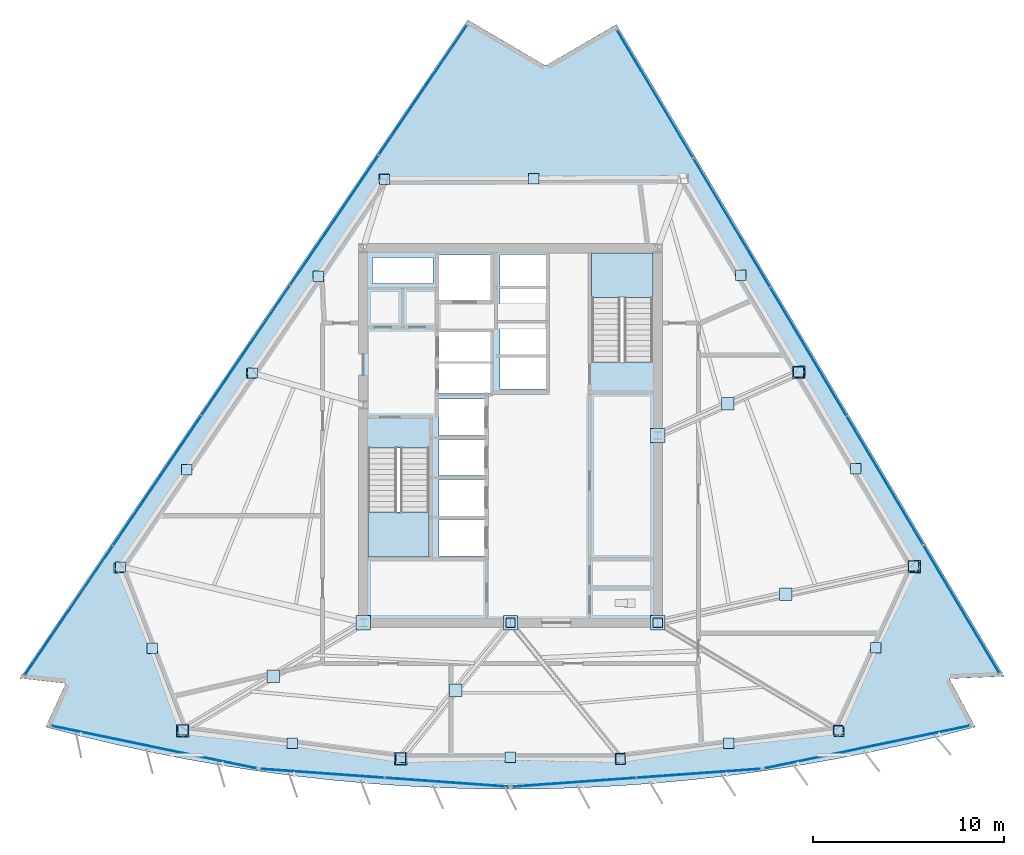
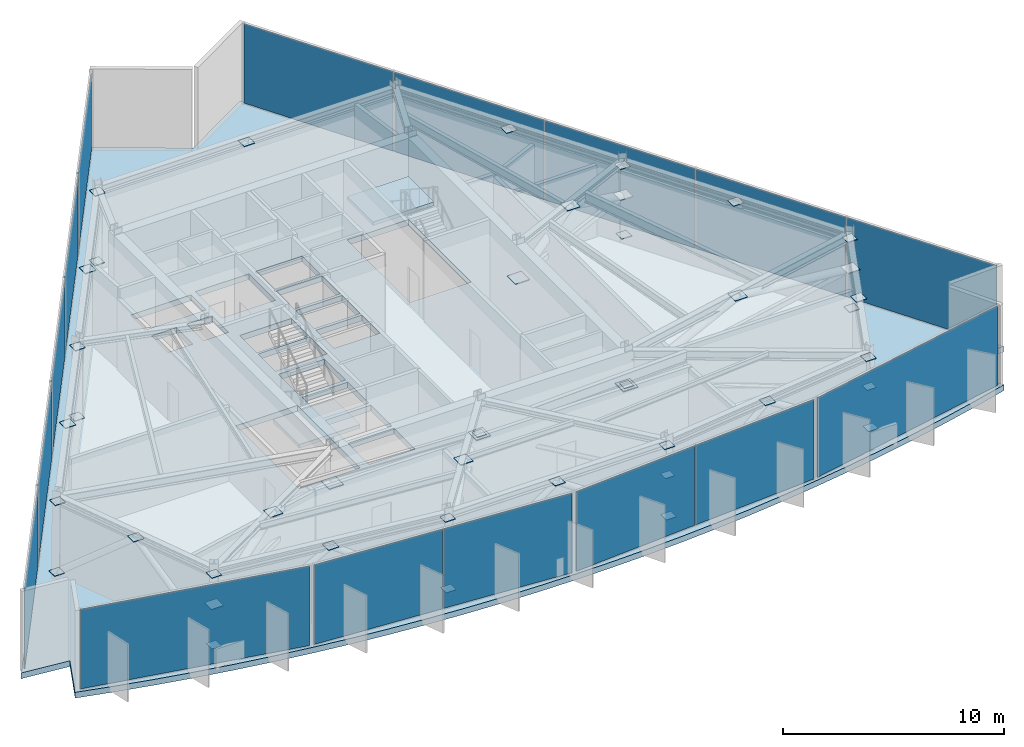
# One storey, part 7 of 14: 60 plates, 3 slabs, 8 elements without a shape of their own.
"""IFC4 building model written with IfcOpenShell, lengths in metres."""

from ifc_helpers import new_model, si_unit, direction, frame, origin, origin_2d, place, context, subcontext, project, spatial, polyline, rectangle, outline, extrude, material, layer, layer_set, type_object, element, aggregate, save


model = new_model("IFC4")

# Units and contexts
model_context = context("Model", 3, precision=1e-05, world=origin(), true_north=direction((0.0, 1.0)))
body_context = subcontext(model_context, "Body", "Model", "MODEL_VIEW")
ifc_project = project(units=[si_unit("LENGTHUNIT", "METRE"), si_unit("AREAUNIT", "SQUARE_METRE"), si_unit("VOLUMEUNIT", "CUBIC_METRE"), si_unit("PLANEANGLEUNIT", "RADIAN"), si_unit("MASSUNIT", "GRAM", prefix="KILO")], contexts=[model_context])

# Site, building, storey
site_placement = place(None, origin())
site = spatial("IfcSite", under=ifc_project, at=site_placement, CompositionType="ELEMENT")
building_placement = place(site_placement, origin())
building = spatial("IfcBuilding", under=site, at=building_placement, Name="Savorim Split Tower", CompositionType="ELEMENT")
storey_placement = place(building_placement, frame((0.0, 0.0, 185.39990234375)))
storey = spatial("IfcBuildingStorey", under=building, at=storey_placement, Name="L49", CompositionType="ELEMENT", Elevation=185.39990234375)

# Curtain wall, plate
ifc_material_1 = material(Name="Dark Ceramic-Fritted Insulated Glass", Category="glass")
curtain_wall_type = type_object("IfcCurtainWallType", Name="CW-REFUGE-LVR", PredefinedType="NOTDEFINED", material=ifc_material_1)
curtain_wall_1_placement = place(storey_placement, origin())
curtain_wall_1 = element("IfcCurtainWall", 1, at=curtain_wall_1_placement, inside=storey, type_object=curtain_wall_type, Name="L49 Curtain Wall CW-L49-SF1", PredefinedType="NOTDEFINED")
ifc_material_2 = material(Name="Charcoal Anodised Aluminium", Category="aluminium")
ifc_layer_1 = layer(ifc_material_2, 0.035888671875)
ifc_layer_set_1 = layer_set([ifc_layer_1], Name="CWP-LVR-36")
plate_type_1 = type_object("IfcPlateType", Name="CWP-LVR-36", PredefinedType="CURTAIN_PANEL", material=ifc_layer_set_1)
plate_1_placement = place(storey_placement, frame((-18.65283203125, -15.901123046875, 0.05517578125), z_axis=(0.0, 0.0, 1.0), x_axis=(0.979135601511, -0.203207957161, 0.0)))
plate_1 = element("IfcPlate", 2, at=plate_1_placement, type_object=plate_type_1, Name="CW-06 panel 1.1", PredefinedType="CURTAIN_PANEL", context=body_context, shape_type="SweptSolid", body=[
    extrude(rectangle(XDim=10.9365234375, YDim=0.035888671875, at=origin_2d()), origin(), (0.0, 0.0, 1.0), 4.389892578125),
])
aggregate(curtain_wall_1, [plate_1])

# Curtain wall, plates
curtain_wall_2_placement = place(storey_placement, origin())
curtain_wall_2 = element("IfcCurtainWall", 3, at=curtain_wall_2_placement, inside=storey, type_object=curtain_wall_type, Name="L49 Curtain Wall CW-L49-SF2", PredefinedType="NOTDEFINED")
plate_2_placement = place(storey_placement, frame((-9.845703125, -17.275634765625, 0.05517578125), z_axis=(0.0, 0.0, 1.0), x_axis=(0.997436161804, -0.071561883187, 0.0)))
plate_2 = element("IfcPlate", 4, at=plate_2_placement, type_object=plate_type_1, Name="CW-06 panel 1.1", PredefinedType="CURTAIN_PANEL", context=body_context, shape_type="SweptSolid", body=[
    extrude(rectangle(XDim=6.459716796875, YDim=0.035888671875, at=origin_2d()), origin(), (0.0, 0.0, 1.0), 4.389892578125),
])
plate_3_placement = place(storey_placement, frame((-3.337646484375, -17.74267578125, 0.05517578125), z_axis=(0.0, 0.0, 1.0), x_axis=(0.997436161804, -0.071561883187, 0.0)))
plate_3 = element("IfcPlate", 5, at=plate_3_placement, type_object=plate_type_1, Name="CW-06 panel 2.1", PredefinedType="CURTAIN_PANEL", context=body_context, shape_type="SweptSolid", body=[
    extrude(rectangle(XDim=6.459716796875, YDim=0.035888671875, at=origin_2d()), origin(), (0.0, 0.0, 1.0), 4.389892578125),
])
aggregate(curtain_wall_2, [plate_2, plate_3])

curtain_wall_3_placement = place(storey_placement, origin())
curtain_wall_3 = element("IfcCurtainWall", 6, at=curtain_wall_3_placement, inside=storey, type_object=curtain_wall_type, Name="L49 Curtain Wall CW-L49-SF3", PredefinedType="NOTDEFINED")
plate_4_placement = place(storey_placement, frame((3.337646484375, -17.74267578125, 0.05517578125), z_axis=(0.0, 0.0, 1.0), x_axis=(0.997436161804, 0.071561883187, 0.0)))
plate_4 = element("IfcPlate", 7, at=plate_4_placement, type_object=plate_type_1, Name="CW-06 panel 1.1", PredefinedType="CURTAIN_PANEL", context=body_context, shape_type="SweptSolid", body=[
    extrude(rectangle(XDim=6.459716796875, YDim=0.035888671875, at=origin_2d()), origin(), (0.0, 0.0, 1.0), 4.389892578125),
])
plate_5_placement = place(storey_placement, frame((9.845703125, -17.275634765625, 0.05517578125), z_axis=(0.0, 0.0, 1.0), x_axis=(0.997436161804, 0.071561883187, 0.0)))
plate_5 = element("IfcPlate", 8, at=plate_5_placement, type_object=plate_type_1, Name="CW-06 panel 2.1", PredefinedType="CURTAIN_PANEL", context=body_context, shape_type="SweptSolid", body=[
    extrude(rectangle(XDim=6.459716796875, YDim=0.035888671875, at=origin_2d()), origin(), (0.0, 0.0, 1.0), 4.389892578125),
])
aggregate(curtain_wall_3, [plate_4, plate_5])

# Curtain wall, plate
curtain_wall_4_placement = place(storey_placement, origin())
curtain_wall_4 = element("IfcCurtainWall", 9, at=curtain_wall_4_placement, inside=storey, type_object=curtain_wall_type, Name="L49 Curtain Wall CW-L49-SF4", PredefinedType="NOTDEFINED")
plate_6_placement = place(storey_placement, frame((18.65283203125, -15.901123046875, 0.05517578125), z_axis=(0.0, 0.0, 1.0), x_axis=(0.979135601511, 0.203207957161, 0.0)))
plate_6 = element("IfcPlate", 10, at=plate_6_placement, type_object=plate_type_1, Name="CW-06 panel 1.1", PredefinedType="CURTAIN_PANEL", context=body_context, shape_type="SweptSolid", body=[
    extrude(rectangle(XDim=10.9365234375, YDim=0.035888671875, at=origin_2d()), origin(), (0.0, 0.0, 1.0), 4.389892578125),
])
aggregate(curtain_wall_4, [plate_6])

# Curtain wall, plates
curtain_wall_5_placement = place(storey_placement, origin())
curtain_wall_5 = element("IfcCurtainWall", 11, at=curtain_wall_5_placement, inside=storey, type_object=curtain_wall_type, Name="L49 Curtain Wall CW-L49-EAST", PredefinedType="NOTDEFINED")
plate_7_placement = place(storey_placement, frame((23.588134765625, -8.687255859375, 0.05517578125), z_axis=(0.0, 0.0, 1.0), x_axis=(-0.511092138209, 0.859525931116, 0.0)))
plate_7 = element("IfcPlate", 12, at=plate_7_placement, type_object=plate_type_1, Name="CW-06 panel 1.1", PredefinedType="CURTAIN_PANEL", context=body_context, shape_type="SweptSolid", body=[
    extrude(rectangle(XDim=7.74853515625, YDim=0.035888671875, at=origin_2d()), origin(), (0.0, 0.0, 1.0), 4.389892578125),
])
plate_8_placement = place(storey_placement, frame((19.586181640625, -1.957275390625, 0.05517578125), z_axis=(0.0, 0.0, 1.0), x_axis=(-0.511092138209, 0.859525931116, 0.0)))
plate_8 = element("IfcPlate", 13, at=plate_8_placement, type_object=plate_type_1, Name="CW-06 panel 2.1", PredefinedType="CURTAIN_PANEL", context=body_context, shape_type="SweptSolid", body=[
    extrude(rectangle(XDim=7.78125, YDim=0.035888671875, at=origin_2d()), origin(), (0.0, 0.0, 1.0), 4.389892578125),
])
plate_9_placement = place(storey_placement, frame((15.576171875, 4.786865234375, 0.05517578125), z_axis=(0.0, 0.0, 1.0), x_axis=(-0.511092138209, 0.859525931116, 0.0)))
plate_9 = element("IfcPlate", 14, at=plate_9_placement, type_object=plate_type_1, Name="CW-06 panel 3.1", PredefinedType="CURTAIN_PANEL", context=body_context, shape_type="SweptSolid", body=[
    extrude(rectangle(XDim=7.78125, YDim=0.035888671875, at=origin_2d()), origin(), (0.0, 0.0, 1.0), 4.389892578125),
])
plate_10_placement = place(storey_placement, frame((11.566162109375, 11.53076171875, 0.05517578125), z_axis=(0.0, 0.0, 1.0), x_axis=(-0.511092138209, 0.859525931116, 0.0)))
plate_10 = element("IfcPlate", 15, at=plate_10_placement, type_object=plate_type_1, Name="CW-06 panel 4.1", PredefinedType="CURTAIN_PANEL", context=body_context, shape_type="SweptSolid", body=[
    extrude(rectangle(XDim=7.78125, YDim=0.035888671875, at=origin_2d()), origin(), (0.0, 0.0, 1.0), 4.389892578125),
])
plate_11_placement = place(storey_placement, frame((7.564208984375, 18.2607421875, 0.05517578125), z_axis=(0.0, 0.0, 1.0), x_axis=(-0.511092138209, 0.859525931116, 0.0)))
plate_11 = element("IfcPlate", 16, at=plate_11_placement, type_object=plate_type_1, Name="CW-06 panel 5.1", PredefinedType="CURTAIN_PANEL", context=body_context, shape_type="SweptSolid", body=[
    extrude(rectangle(XDim=7.74853515625, YDim=0.035888671875, at=origin_2d()), origin(), (0.0, 0.0, 1.0), 4.389892578125),
])
aggregate(curtain_wall_5, [plate_7, plate_8, plate_9, plate_10, plate_11])

curtain_wall_6_placement = place(storey_placement, origin())
curtain_wall_6 = element("IfcCurtainWall", 17, at=curtain_wall_6_placement, inside=storey, type_object=curtain_wall_type, Name="L49 Curtain Wall CW-L49-WEST", PredefinedType="NOTDEFINED")
plate_12_placement = place(storey_placement, frame((-4.58447265625, 18.4638671875, 0.05517578125), z_axis=(0.0, 0.0, 1.0), x_axis=(-0.562466126845, -0.826820328821, 0.0)))
plate_12 = element("IfcPlate", 18, at=plate_12_placement, type_object=plate_type_1, Name="CW-06 panel 1.1", PredefinedType="CURTAIN_PANEL", context=body_context, shape_type="SweptSolid", body=[
    extrude(rectangle(XDim=8.144287109375, YDim=0.035888671875, at=origin_2d()), origin(), (0.0, 0.0, 1.0), 4.389892578125),
])
plate_13_placement = place(storey_placement, frame((-9.2109375, 11.6630859375, 0.05517578125), z_axis=(0.0, 0.0, 1.0), x_axis=(-0.562466126845, -0.826820328821, 0.0)))
plate_13 = element("IfcPlate", 19, at=plate_13_placement, type_object=plate_type_1, Name="CW-06 panel 2.1", PredefinedType="CURTAIN_PANEL", context=body_context, shape_type="SweptSolid", body=[
    extrude(rectangle(XDim=8.1767578125, YDim=0.035888671875, at=origin_2d()), origin(), (0.0, 0.0, 1.0), 4.389892578125),
])
plate_14_placement = place(storey_placement, frame((-13.846435546875, 4.8486328125, 0.05517578125), z_axis=(0.0, 0.0, 1.0), x_axis=(-0.562466126845, -0.826820328821, 0.0)))
plate_14 = element("IfcPlate", 20, at=plate_14_placement, type_object=plate_type_1, Name="CW-06 panel 3.1", PredefinedType="CURTAIN_PANEL", context=body_context, shape_type="SweptSolid", body=[
    extrude(rectangle(XDim=8.1767578125, YDim=0.035888671875, at=origin_2d()), origin(), (0.0, 0.0, 1.0), 4.389892578125),
])
plate_15_placement = place(storey_placement, frame((-18.482177734375, -1.9658203125, 0.05517578125), z_axis=(0.0, 0.0, 1.0), x_axis=(-0.562466126845, -0.826820328821, 0.0)))
plate_15 = element("IfcPlate", 21, at=plate_15_placement, type_object=plate_type_1, Name="CW-06 panel 4.1", PredefinedType="CURTAIN_PANEL", context=body_context, shape_type="SweptSolid", body=[
    extrude(rectangle(XDim=8.1767578125, YDim=0.035888671875, at=origin_2d()), origin(), (0.0, 0.0, 1.0), 4.389892578125),
])
plate_16_placement = place(storey_placement, frame((-23.108642578125, -8.7666015625, 0.05517578125), z_axis=(0.0, 0.0, 1.0), x_axis=(-0.562466126845, -0.826820328821, 0.0)))
plate_16 = element("IfcPlate", 22, at=plate_16_placement, type_object=plate_type_1, Name="CW-06 panel 5.1", PredefinedType="CURTAIN_PANEL", context=body_context, shape_type="SweptSolid", body=[
    extrude(rectangle(XDim=8.144287109375, YDim=0.035888671875, at=origin_2d()), origin(), (0.0, 0.0, 1.0), 4.389892578125),
])
aggregate(curtain_wall_6, [plate_12, plate_13, plate_14, plate_15, plate_16])

# Plates
ifc_material_3 = material(Name="Steel S460", Category="steel")
ifc_layer_2 = layer(ifc_material_3, 0.028076171875)
ifc_layer_set_2 = layer_set([ifc_layer_2], Name="PLT-NODE-BN1")
plate_type_2 = type_object("IfcPlateType", Name="PLT-NODE-BN1", PredefinedType="SHEET", material=ifc_layer_set_2)
plate_17_placement = place(storey_placement, frame((-11.426513671875, -15.711181640625, 4.1162109375), z_axis=(0.0, 0.0, 1.0), x_axis=(1.0, 0.0, 0.0)))
element("IfcPlate", 23, at=plate_17_placement, inside=storey, type_object=plate_type_2, Name="L49 Belt Truss Apex Gusset Plate BN1-01", PredefinedType="SHEET", context=body_context, shape_type="SweptSolid", body=[
    extrude(rectangle(XDim=0.550048828125, YDim=0.550048828125, at=origin_2d()), origin(), (0.0, 0.0, 1.0), 0.028076171875),
])
for number, where, z_axis, x_axis, name in (
    (24, (-17.18603515625, -15.093994140625, 0.26611328125), (0.0, 0.0, 1.0), (1.0, 0.0, 0.0), "L49 Belt Truss Base Gusset Plate BNB-01"),
    (25, (-17.126708984375, -14.99755859375, 4.1162109375), (0.0, 0.0, 1.0), (1.0, 0.0, 0.0), "L49 Belt Truss Chord Gusset Plate BCH-01"),
):
    element("IfcPlate", number, at=place(storey_placement, frame(where, z_axis=z_axis, x_axis=x_axis)), inside=storey, type_object=plate_type_2, Name=name, PredefinedType="SHEET", context=body_context, shape_type="SweptSolid", body=[
        extrude(rectangle(XDim=0.52001953125, YDim=0.52001953125, at=origin_2d()), origin(), (0.0, 0.0, 1.0), 0.028076171875),
    ])
plate_18_placement = place(storey_placement, frame((0.0, -16.441650390625, 4.1162109375), z_axis=(0.0, 0.0, 1.0), x_axis=(1.0, 0.0, 0.0)))
element("IfcPlate", 26, at=plate_18_placement, inside=storey, type_object=plate_type_2, Name="L49 Belt Truss Apex Gusset Plate BN1-02", PredefinedType="SHEET", context=body_context, shape_type="SweptSolid", body=[
    extrude(rectangle(XDim=0.550048828125, YDim=0.550048828125, at=origin_2d()), origin(), (0.0, 0.0, 1.0), 0.028076171875),
])
for number, where, z_axis, x_axis, name in (
    (27, (-5.760009765625, -16.56103515625, 0.26611328125), (0.0, 0.0, 1.0), (1.0, 0.0, 0.0), "L49 Belt Truss Base Gusset Plate BNB-02"),
    (28, (-5.739990234375, -16.45947265625, 4.1162109375), (0.0, 0.0, 1.0), (1.0, 0.0, 0.0), "L49 Belt Truss Chord Gusset Plate BCH-02"),
):
    element("IfcPlate", number, at=place(storey_placement, frame(where, z_axis=z_axis, x_axis=x_axis)), inside=storey, type_object=plate_type_2, Name=name, PredefinedType="SHEET", context=body_context, shape_type="SweptSolid", body=[
        extrude(rectangle(XDim=0.52001953125, YDim=0.52001953125, at=origin_2d()), origin(), (0.0, 0.0, 1.0), 0.028076171875),
    ])
plate_19_placement = place(storey_placement, frame((11.426513671875, -15.711181640625, 4.1162109375), z_axis=(0.0, 0.0, 1.0), x_axis=(1.0, 0.0, 0.0)))
element("IfcPlate", 29, at=plate_19_placement, inside=storey, type_object=plate_type_2, Name="L49 Belt Truss Apex Gusset Plate BN1-03", PredefinedType="SHEET", context=body_context, shape_type="SweptSolid", body=[
    extrude(rectangle(XDim=0.550048828125, YDim=0.550048828125, at=origin_2d()), origin(), (0.0, 0.0, 1.0), 0.028076171875),
])
for number, where, z_axis, x_axis, name in (
    (30, (5.760009765625, -16.56103515625, 0.26611328125), (0.0, 0.0, 1.0), (1.0, 0.0, 0.0), "L49 Belt Truss Base Gusset Plate BNB-03"),
    (31, (5.739990234375, -16.45947265625, 4.1162109375), (0.0, 0.0, 1.0), (1.0, 0.0, 0.0), "L49 Belt Truss Chord Gusset Plate BCH-03"),
):
    element("IfcPlate", number, at=place(storey_placement, frame(where, z_axis=z_axis, x_axis=x_axis)), inside=storey, type_object=plate_type_2, Name=name, PredefinedType="SHEET", context=body_context, shape_type="SweptSolid", body=[
        extrude(rectangle(XDim=0.52001953125, YDim=0.52001953125, at=origin_2d()), origin(), (0.0, 0.0, 1.0), 0.028076171875),
    ])
plate_20_placement = place(storey_placement, frame((19.0966796875, -10.7001953125, 4.1162109375), z_axis=(0.0, 0.0, 1.0), x_axis=(1.0, 0.0, 0.0)))
element("IfcPlate", 32, at=plate_20_placement, inside=storey, type_object=plate_type_2, Name="L49 Belt Truss Apex Gusset Plate BN1-04", PredefinedType="SHEET", context=body_context, shape_type="SweptSolid", body=[
    extrude(rectangle(XDim=0.550048828125, YDim=0.550048828125, at=origin_2d()), origin(), (0.0, 0.0, 1.0), 0.028076171875),
])
for number, where, z_axis, x_axis, name in (
    (33, (17.18603515625, -15.093994140625, 0.26611328125), (0.0, 0.0, 1.0), (1.0, 0.0, 0.0), "L49 Belt Truss Base Gusset Plate BNB-04"),
    (34, (17.126708984375, -14.99755859375, 4.1162109375), (0.0, 0.0, 1.0), (1.0, 0.0, 0.0), "L49 Belt Truss Chord Gusset Plate BCH-04"),
):
    element("IfcPlate", number, at=place(storey_placement, frame(where, z_axis=z_axis, x_axis=x_axis)), inside=storey, type_object=plate_type_2, Name=name, PredefinedType="SHEET", context=body_context, shape_type="SweptSolid", body=[
        extrude(rectangle(XDim=0.52001953125, YDim=0.52001953125, at=origin_2d()), origin(), (0.0, 0.0, 1.0), 0.028076171875),
    ])
plate_21_placement = place(storey_placement, frame((18.064453125, -1.352783203125, 4.1162109375), z_axis=(0.0, 0.0, 1.0), x_axis=(1.0, 0.0, 0.0)))
element("IfcPlate", 35, at=plate_21_placement, inside=storey, type_object=plate_type_2, Name="L49 Belt Truss Apex Gusset Plate BN1-05", PredefinedType="SHEET", context=body_context, shape_type="SweptSolid", body=[
    extrude(rectangle(XDim=0.550048828125, YDim=0.550048828125, at=origin_2d()), origin(), (0.0, 0.0, 1.0), 0.028076171875),
])
for number, where, z_axis, x_axis, name in (
    (36, (21.16552734375, -6.492919921875, 0.26611328125), (0.0, 0.0, 1.0), (1.0, 0.0, 0.0), "L49 Belt Truss Base Gusset Plate BNB-05"),
    (37, (21.09033203125, -6.430419921875, 4.1162109375), (0.0, 0.0, 1.0), (1.0, 0.0, 0.0), "L49 Belt Truss Chord Gusset Plate BCH-05"),
):
    element("IfcPlate", number, at=place(storey_placement, frame(where, z_axis=z_axis, x_axis=x_axis)), inside=storey, type_object=plate_type_2, Name=name, PredefinedType="SHEET", context=body_context, shape_type="SweptSolid", body=[
        extrude(rectangle(XDim=0.52001953125, YDim=0.52001953125, at=origin_2d()), origin(), (0.0, 0.0, 1.0), 0.028076171875),
    ])
plate_22_placement = place(storey_placement, frame((12.038818359375, 8.78076171875, 4.1162109375), z_axis=(0.0, 0.0, 1.0), x_axis=(1.0, 0.0, 0.0)))
element("IfcPlate", 38, at=plate_22_placement, inside=storey, type_object=plate_type_2, Name="L49 Belt Truss Apex Gusset Plate BN1-06", PredefinedType="SHEET", context=body_context, shape_type="SweptSolid", body=[
    extrude(rectangle(XDim=0.550048828125, YDim=0.550048828125, at=origin_2d()), origin(), (0.0, 0.0, 1.0), 0.028076171875),
])
for number, where, z_axis, x_axis, name in (
    (39, (15.115478515625, 3.681640625, 0.26611328125), (0.0, 0.0, 1.0), (1.0, 0.0, 0.0), "L49 Belt Truss Base Gusset Plate BNB-06"),
    (40, (15.061279296875, 3.708984375, 4.1162109375), (0.0, 0.0, 1.0), (1.0, 0.0, 0.0), "L49 Belt Truss Chord Gusset Plate BCH-06"),
):
    element("IfcPlate", number, at=place(storey_placement, frame(where, z_axis=z_axis, x_axis=x_axis)), inside=storey, type_object=plate_type_2, Name=name, PredefinedType="SHEET", context=body_context, shape_type="SweptSolid", body=[
        extrude(rectangle(XDim=0.52001953125, YDim=0.52001953125, at=origin_2d()), origin(), (0.0, 0.0, 1.0), 0.028076171875),
    ])
for number, where, z_axis, x_axis, name in (
    (41, (1.214111328125, 13.822998046875, 4.1162109375), (0.0, 0.0, 1.0), (1.0, 0.0, 0.0), "L49 Belt Truss Apex Gusset Plate BN1-07"),
    (42, (-10.04443359375, 8.73193359375, 4.1162109375), (0.0, 0.0, 1.0), (1.0, 0.0, 0.0), "L49 Belt Truss Apex Gusset Plate BN1-08"),
):
    element("IfcPlate", number, at=place(storey_placement, frame(where, z_axis=z_axis, x_axis=x_axis)), inside=storey, type_object=plate_type_2, Name=name, PredefinedType="SHEET", context=body_context, shape_type="SweptSolid", body=[
        extrude(rectangle(XDim=0.550048828125, YDim=0.550048828125, at=origin_2d()), origin(), (0.0, 0.0, 1.0), 0.028076171875),
    ])
for number, where, z_axis, x_axis, name in (
    (43, (-6.62744140625, 13.807373046875, 0.26611328125), (0.0, 0.0, 1.0), (1.0, 0.0, 0.0), "L49 Belt Truss Base Gusset Plate BNB-08"),
    (44, (-6.60205078125, 13.800048828125, 4.1162109375), (0.0, 0.0, 1.0), (1.0, 0.0, 0.0), "L49 Belt Truss Chord Gusset Plate BCH-08"),
):
    element("IfcPlate", number, at=place(storey_placement, frame(where, z_axis=z_axis, x_axis=x_axis)), inside=storey, type_object=plate_type_2, Name=name, PredefinedType="SHEET", context=body_context, shape_type="SweptSolid", body=[
        extrude(rectangle(XDim=0.52001953125, YDim=0.52001953125, at=origin_2d()), origin(), (0.0, 0.0, 1.0), 0.028076171875),
    ])
plate_23_placement = place(storey_placement, frame((-16.938232421875, -1.401611328125, 4.1162109375), z_axis=(0.0, 0.0, 1.0), x_axis=(1.0, 0.0, 0.0)))
element("IfcPlate", 45, at=plate_23_placement, inside=storey, type_object=plate_type_2, Name="L49 Belt Truss Apex Gusset Plate BN1-09", PredefinedType="SHEET", context=body_context, shape_type="SweptSolid", body=[
    extrude(rectangle(XDim=0.550048828125, YDim=0.550048828125, at=origin_2d()), origin(), (0.0, 0.0, 1.0), 0.028076171875),
])
for number, where, z_axis, x_axis, name in (
    (46, (-13.548828125, 3.6328125, 0.26611328125), (0.0, 0.0, 1.0), (1.0, 0.0, 0.0), "L49 Belt Truss Base Gusset Plate BNB-09"),
    (47, (-13.499755859375, 3.660400390625, 4.1162109375), (0.0, 0.0, 1.0), (1.0, 0.0, 0.0), "L49 Belt Truss Chord Gusset Plate BCH-09"),
):
    element("IfcPlate", number, at=place(storey_placement, frame(where, z_axis=z_axis, x_axis=x_axis)), inside=storey, type_object=plate_type_2, Name=name, PredefinedType="SHEET", context=body_context, shape_type="SweptSolid", body=[
        extrude(rectangle(XDim=0.52001953125, YDim=0.52001953125, at=origin_2d()), origin(), (0.0, 0.0, 1.0), 0.028076171875),
    ])
plate_24_placement = place(storey_placement, frame((-18.750732421875, -10.724609375, 4.1162109375), z_axis=(0.0, 0.0, 1.0), x_axis=(1.0, 0.0, 0.0)))
element("IfcPlate", 48, at=plate_24_placement, inside=storey, type_object=plate_type_2, Name="L49 Belt Truss Apex Gusset Plate BN1-10", PredefinedType="SHEET", context=body_context, shape_type="SweptSolid", body=[
    extrude(rectangle(XDim=0.550048828125, YDim=0.550048828125, at=origin_2d()), origin(), (0.0, 0.0, 1.0), 0.028076171875),
])
for number, where, z_axis, x_axis, name in (
    (49, (-20.47021484375, -6.54150390625, 0.26611328125), (0.0, 0.0, 1.0), (1.0, 0.0, 0.0), "L49 Belt Truss Base Gusset Plate BNB-10"),
    (50, (-20.397705078125, -6.479248046875, 4.1162109375), (0.0, 0.0, 1.0), (1.0, 0.0, 0.0), "L49 Belt Truss Chord Gusset Plate BCH-10"),
):
    element("IfcPlate", number, at=place(storey_placement, frame(where, z_axis=z_axis, x_axis=x_axis)), inside=storey, type_object=plate_type_2, Name=name, PredefinedType="SHEET", context=body_context, shape_type="SweptSolid", body=[
        extrude(rectangle(XDim=0.52001953125, YDim=0.52001953125, at=origin_2d()), origin(), (0.0, 0.0, 1.0), 0.028076171875),
    ])
ifc_layer_3 = layer(ifc_material_3, 0.02490234375)
ifc_layer_set_3 = layer_set([ifc_layer_3], Name="PLT-NODE-CN1")
plate_type_3 = type_object("IfcPlateType", Name="PLT-NODE-CN1", PredefinedType="SHEET", material=ifc_layer_set_3)
for number, where, z_axis, x_axis, name in (
    (51, (0.0, -9.39990234375, 2.507568359375), (0.0, 0.0, 1.0), (1.0, 0.0, 0.0), "L49 Tie Strut Core Gusset Plate 1"),
    (52, (5.748291015625, -16.501953125, 2.507568359375), (0.0, 0.0, 1.0), (1.0, 0.0, 0.0), "L49 Tie Strut Column Gusset Plate 1"),
    (53, (7.699951171875, -9.39990234375, 2.507568359375), (0.0, 0.0, 1.0), (1.0, 0.0, 0.0), "L49 Tie Strut Core Gusset Plate 2"),
    (54, (17.151611328125, -15.037841796875, 2.507568359375), (0.0, 0.0, 1.0), (1.0, 0.0, 0.0), "L49 Tie Strut Column Gusset Plate 2"),
):
    element("IfcPlate", number, at=place(storey_placement, frame(where, z_axis=z_axis, x_axis=x_axis)), inside=storey, type_object=plate_type_3, Name=name, PredefinedType="SHEET", context=body_context, shape_type="SweptSolid", body=[
        extrude(rectangle(XDim=0.47998046875, YDim=0.47998046875, at=origin_2d()), origin(), (0.0, 0.0, 1.0), 0.02490234375),
    ])
ifc_layer_4 = layer(ifc_material_3, 0.035888671875)
ifc_layer_set_4 = layer_set([ifc_layer_4], Name="PLT-NODE-ON1")
plate_type_4 = type_object("IfcPlateType", Name="PLT-NODE-ON1", PredefinedType="SHEET", material=ifc_layer_set_4)
plate_25_placement = place(storey_placement, frame((-7.699951171875, -9.39990234375, 2.4619140625), z_axis=(0.0, 0.0, 1.0), x_axis=(1.0, 0.0, 0.0)))
element("IfcPlate", 55, at=plate_25_placement, inside=storey, type_object=plate_type_4, Name="L49 Outrigger Core Embedment Plate ON1-1", PredefinedType="SHEET", context=body_context, shape_type="SweptSolid", body=[
    extrude(rectangle(XDim=0.75, YDim=0.75, at=origin_2d()), origin(), (0.0, 0.0, 1.0), 0.035888671875),
])
plate_26_placement = place(storey_placement, frame((-12.408203125, -12.1904296875, 4.18408203125), z_axis=(0.0, 0.0, 1.0), x_axis=(1.0, 0.0, 0.0)))
element("IfcPlate", 56, at=plate_26_placement, inside=storey, type_object=plate_type_4, Name="L49 Outrigger Apex Gusset Plate ONT-1", PredefinedType="SHEET", context=body_context, shape_type="SweptSolid", body=[
    extrude(rectangle(XDim=0.64990234375, YDim=0.64990234375, at=origin_2d()), origin(), (0.0, 0.0, 1.0), 0.031982421875),
])
plate_27_placement = place(storey_placement, frame((0.0, -9.39990234375, 2.4619140625), z_axis=(0.0, 0.0, 1.0), x_axis=(1.0, 0.0, 0.0)))
element("IfcPlate", 57, at=plate_27_placement, inside=storey, type_object=plate_type_4, Name="L49 Outrigger Core Embedment Plate ON1-2", PredefinedType="SHEET", context=body_context, shape_type="SweptSolid", body=[
    extrude(rectangle(XDim=0.75, YDim=0.75, at=origin_2d()), origin(), (0.0, 0.0, 1.0), 0.035888671875),
])
plate_28_placement = place(storey_placement, frame((-2.868408203125, -12.9208984375, 4.18408203125), z_axis=(0.0, 0.0, 1.0), x_axis=(1.0, 0.0, 0.0)))
element("IfcPlate", 58, at=plate_28_placement, inside=storey, type_object=plate_type_4, Name="L49 Outrigger Apex Gusset Plate ONT-2", PredefinedType="SHEET", context=body_context, shape_type="SweptSolid", body=[
    extrude(rectangle(XDim=0.64990234375, YDim=0.64990234375, at=origin_2d()), origin(), (0.0, 0.0, 1.0), 0.031982421875),
])
plate_29_placement = place(storey_placement, frame((7.699951171875, -9.39990234375, 2.4619140625), z_axis=(0.0, 0.0, 1.0), x_axis=(1.0, 0.0, 0.0)))
element("IfcPlate", 59, at=plate_29_placement, inside=storey, type_object=plate_type_4, Name="L49 Outrigger Core Embedment Plate ON1-3", PredefinedType="SHEET", context=body_context, shape_type="SweptSolid", body=[
    extrude(rectangle(XDim=0.75, YDim=0.75, at=origin_2d()), origin(), (0.0, 0.0, 1.0), 0.035888671875),
])
plate_30_placement = place(storey_placement, frame((14.388671875, -7.909912109375, 4.18408203125), z_axis=(0.0, 0.0, 1.0), x_axis=(1.0, 0.0, 0.0)))
element("IfcPlate", 60, at=plate_30_placement, inside=storey, type_object=plate_type_4, Name="L49 Outrigger Apex Gusset Plate ONT-3", PredefinedType="SHEET", context=body_context, shape_type="SweptSolid", body=[
    extrude(rectangle(XDim=0.64990234375, YDim=0.64990234375, at=origin_2d()), origin(), (0.0, 0.0, 1.0), 0.031982421875),
])
plate_31_placement = place(storey_placement, frame((7.699951171875, 0.39990234375, 2.4619140625), z_axis=(0.0, 0.0, 1.0), x_axis=(1.0, 0.0, 0.0)))
element("IfcPlate", 61, at=plate_31_placement, inside=storey, type_object=plate_type_4, Name="L49 Outrigger Core Embedment Plate ON1-4", PredefinedType="SHEET", context=body_context, shape_type="SweptSolid", body=[
    extrude(rectangle(XDim=0.75, YDim=0.75, at=origin_2d()), origin(), (0.0, 0.0, 1.0), 0.035888671875),
])
plate_32_placement = place(storey_placement, frame((11.375732421875, 2.056884765625, 4.18408203125), z_axis=(0.0, 0.0, 1.0), x_axis=(1.0, 0.0, 0.0)))
element("IfcPlate", 62, at=plate_32_placement, inside=storey, type_object=plate_type_4, Name="L49 Outrigger Apex Gusset Plate ONT-4", PredefinedType="SHEET", context=body_context, shape_type="SweptSolid", body=[
    extrude(rectangle(XDim=0.64990234375, YDim=0.64990234375, at=origin_2d()), origin(), (0.0, 0.0, 1.0), 0.031982421875),
])
ifc_layer_5 = layer(ifc_material_3, 0.031982421875)
ifc_layer_set_5 = layer_set([ifc_layer_5], Name="PLT-NODE-ON2")
plate_type_5 = type_object("IfcPlateType", Name="PLT-NODE-ON2", PredefinedType="SHEET", material=ifc_layer_set_5)
for number, where, z_axis, x_axis, name in (
    (63, (-17.152099609375, -15.038818359375, 2.4638671875), (0.0, 0.0, 1.0), (1.0, 0.0, 0.0), "L49 Outrigger Column Gusset Plate ON2-1"),
    (64, (-5.74853515625, -16.5029296875, 2.4638671875), (0.0, 0.0, 1.0), (1.0, 0.0, 0.0), "L49 Outrigger Column Gusset Plate ON2-2"),
    (65, (21.12255859375, -6.457275390625, 2.4638671875), (0.0, 0.0, 1.0), (1.0, 0.0, 0.0), "L49 Outrigger Column Gusset Plate ON2-3"),
    (66, (15.08447265625, 3.697509765625, 2.4638671875), (0.0, 0.0, 1.0), (1.0, 0.0, 0.0), "L49 Outrigger Column Gusset Plate ON2-4"),
):
    element("IfcPlate", number, at=place(storey_placement, frame(where, z_axis=z_axis, x_axis=x_axis)), inside=storey, type_object=plate_type_5, Name=name, PredefinedType="SHEET", context=body_context, shape_type="SweptSolid", body=[
        extrude(rectangle(XDim=0.64990234375, YDim=0.64990234375, at=origin_2d()), origin(), (0.0, 0.0, 1.0), 0.031982421875),
    ])

# Stair, slab
ifc_material_4 = material(Name="Concrete C50/60", Category="concrete")
stair_type = type_object("IfcStairType", Name="STR-DOG-4800", PredefinedType="HALF_TURN_STAIR", material=ifc_material_4)
stair_1_placement = place(storey_placement, origin())
stair_1 = element("IfcStair", 67, at=stair_1_placement, inside=storey, type_object=stair_type, Name="L49 Core Protected Exit Stair ST-1", PredefinedType="HALF_TURN_STAIR")
ifc_layer_6 = layer(ifc_material_4, 0.199951171875)
ifc_layer_set_6 = layer_set([ifc_layer_6], Name="SLB-LND-200")
slab_type_1 = type_object("IfcSlabType", Name="SLB-LND-200", PredefinedType="LANDING", material=ifc_layer_set_6)
slab_1_placement = place(storey_placement, frame((0.0, 0.0, 2.2001953125)))
slab_1 = element("IfcSlab", 68, at=slab_1_placement, type_object=slab_type_1, Name="ST-1 landing 1", PredefinedType="LANDING", context=body_context, shape_type="SweptSolid", body=[
    extrude(outline(polyline([(-7.449951171875, -3.610107421875), (-7.449951171875, -5.949951171875), (-4.25, -5.949951171875), (-4.25, -3.610107421875), (-7.449951171875, -3.610107421875)])), origin(), (0.0, 0.0, 1.0), 0.199951171875),
])
aggregate(stair_1, [slab_1])

stair_2_placement = place(storey_placement, origin())
stair_2 = element("IfcStair", 69, at=stair_2_placement, inside=storey, type_object=stair_type, Name="L49 Core Protected Exit Stair ST-2", PredefinedType="HALF_TURN_STAIR")
slab_2_placement = place(storey_placement, frame((0.0, 0.0, 2.2001953125)))
slab_2 = element("IfcSlab", 70, at=slab_2_placement, type_object=slab_type_1, Name="ST-2 landing 1", PredefinedType="LANDING", context=body_context, shape_type="SweptSolid", body=[
    extrude(outline(polyline([(7.449951171875, 7.610107421875), (7.449951171875, 9.949951171875), (4.25, 9.949951171875), (4.25, 7.610107421875), (7.449951171875, 7.610107421875)])), origin(), (0.0, 0.0, 1.0), 0.199951171875),
])
aggregate(stair_2, [slab_2])

# Slab
ifc_layer_7 = layer(ifc_material_4, 0.320068359375)
ifc_layer_set_7 = layer_set([ifc_layer_7], Name="SLB-POD-320")
slab_type_2 = type_object("IfcSlabType", Name="SLB-POD-320", PredefinedType="FLOOR", material=ifc_layer_set_7)
slab_3_placement = place(storey_placement, frame((0.0, 0.0, -0.31982421875)))
element("IfcSlab", 71, at=slab_3_placement, inside=storey, type_object=slab_type_2, Name="L49 Structural Floor Slab", PredefinedType="FLOOR", context=body_context, shape_type="SweptSolid", body=[
    extrude(outline(polyline([(-24.310302734375, -14.849609375), (-22.479736328125, -15.328369140625), (-20.6396484375, -15.76953125), (-18.791015625, -16.173095703125), (-16.934326171875, -16.53857421875), (-15.070556640625, -16.865966796875), (-13.20068359375, -17.1552734375), (-11.3251953125, -17.40625), (-9.44482421875, -17.618896484375), (-7.560546875, -17.792724609375), (-5.673095703125, -17.92822265625), (-3.783447265625, -18.02490234375), (-1.89208984375, -18.0830078125), (0.0, -18.102294921875), (1.89208984375, -18.0830078125), (3.783447265625, -18.02490234375), (5.673095703125, -17.92822265625), (7.560546875, -17.792724609375), (9.44482421875, -17.618896484375), (11.3251953125, -17.40625), (13.20068359375, -17.1552734375), (15.070556640625, -16.865966796875), (16.934326171875, -16.53857421875), (18.791015625, -16.173095703125), (20.6396484375, -15.76953125), (22.479736328125, -15.328369140625), (24.310302734375, -14.849609375), (22.95458984375, -12.32275390625), (25.81689453125, -12.200927734375), (5.54150390625, 21.897216796875), (1.84033203125, 19.739990234375), (-2.23291015625, 22.134033203125), (-25.65869140625, -12.3017578125), (-23.2626953125, -12.569091796875), (-24.310302734375, -14.849609375)]), holes=[polyline([(-7.449951171875, -0.25390625), (-7.449951171875, -5.949951171875), (-4.25, -5.949951171875), (-4.25, -0.25390625), (-7.449951171875, -0.25390625)]), polyline([(7.449951171875, 4.25390625), (7.449951171875, 9.949951171875), (4.25, 9.949951171875), (4.25, 4.25390625), (7.449951171875, 4.25390625)]), polyline([(-3.75, -5.89990234375), (-1.35009765625, -5.89990234375), (-1.35009765625, -4.0), (-3.75, -4.0), (-3.75, -5.89990234375)]), polyline([(-3.75, -3.800048828125), (-1.35009765625, -3.800048828125), (-1.35009765625, -1.89990234375), (-3.75, -1.89990234375), (-3.75, -3.800048828125)]), polyline([(-3.75, -1.699951171875), (-1.35009765625, -1.699951171875), (-1.35009765625, 0.199951171875), (-3.75, 0.199951171875), (-3.75, -1.699951171875)]), polyline([(-3.75, 0.39990234375), (-1.35009765625, 0.39990234375), (-1.35009765625, 2.300048828125), (-3.75, 2.300048828125), (-3.75, 0.39990234375)]), polyline([(-0.550048828125, 2.830078125), (1.85009765625, 2.830078125), (1.85009765625, 4.469970703125), (-0.550048828125, 4.469970703125), (-0.550048828125, 2.830078125)]), polyline([(-0.550048828125, 4.6298828125), (1.85009765625, 4.6298828125), (1.85009765625, 6.27001953125), (-0.550048828125, 6.27001953125), (-0.550048828125, 4.6298828125)]), polyline([(-0.550048828125, 6.429931640625), (1.85009765625, 6.429931640625), (1.85009765625, 8.070068359375), (-0.550048828125, 8.070068359375), (-0.550048828125, 6.429931640625)]), polyline([(-0.550048828125, 8.22998046875), (1.85009765625, 8.22998046875), (1.85009765625, 9.8701171875), (-0.550048828125, 9.8701171875), (-0.550048828125, 8.22998046875)]), polyline([(-3.75, 2.60009765625), (-1.050048828125, 2.60009765625), (-1.050048828125, 4.159912109375), (-3.75, 4.159912109375), (-3.75, 2.60009765625)]), polyline([(-3.75, 4.280029296875), (-1.050048828125, 4.280029296875), (-1.050048828125, 5.840087890625), (-3.75, 5.840087890625), (-3.75, 4.280029296875)]), polyline([(-3.75, 7.449951171875), (-0.949951171875, 7.449951171875), (-0.949951171875, 9.85009765625), (-3.75, 9.85009765625), (-3.75, 7.449951171875)]), polyline([(-7.219970703125, 6.320068359375), (-5.919921875, 6.320068359375), (-5.919921875, 7.820068359375), (-7.219970703125, 7.820068359375), (-7.219970703125, 6.320068359375)]), polyline([(-5.3798828125, 6.320068359375), (-4.050048828125, 6.320068359375), (-4.050048828125, 7.820068359375), (-5.3798828125, 7.820068359375), (-5.3798828125, 6.320068359375)]), polyline([(-7.219970703125, 8.360107421875), (-4.050048828125, 8.360107421875), (-4.050048828125, 9.719970703125), (-7.219970703125, 9.719970703125), (-7.219970703125, 8.360107421875)])]), origin(), (0.0, 0.0, 1.0), 0.31982421875),
])

save(model, "model.ifc")
